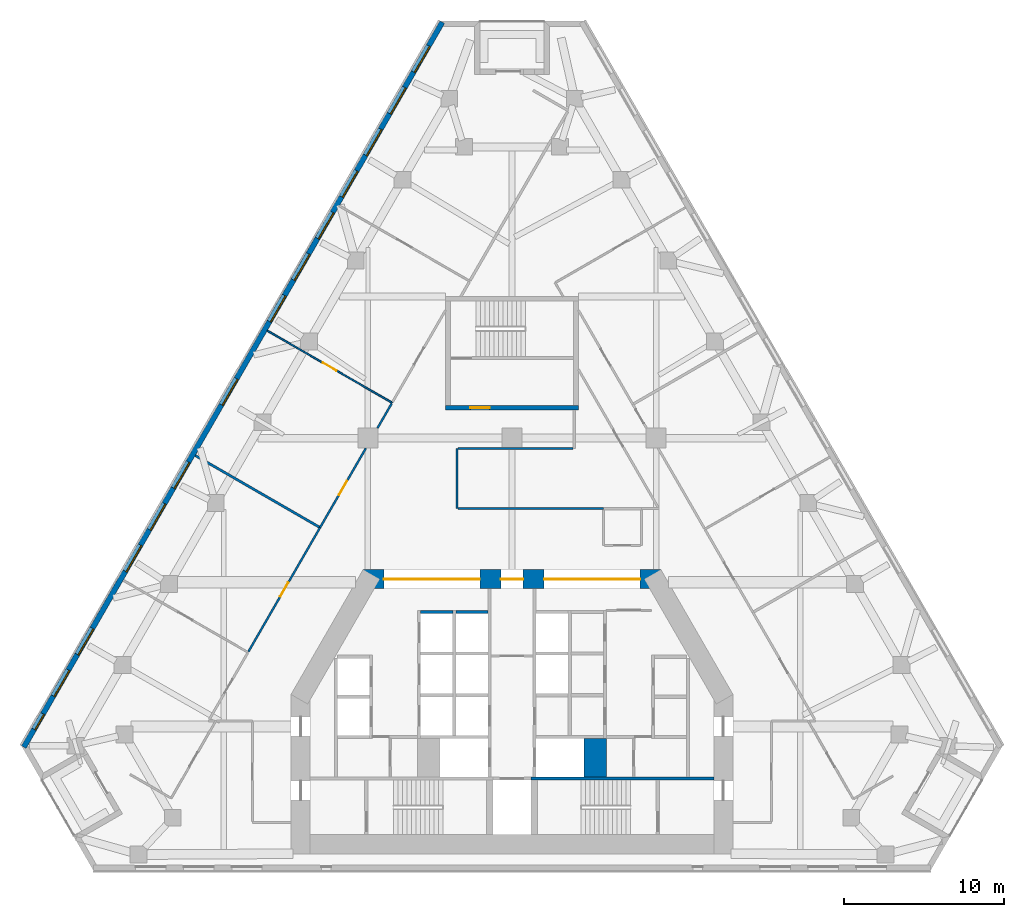
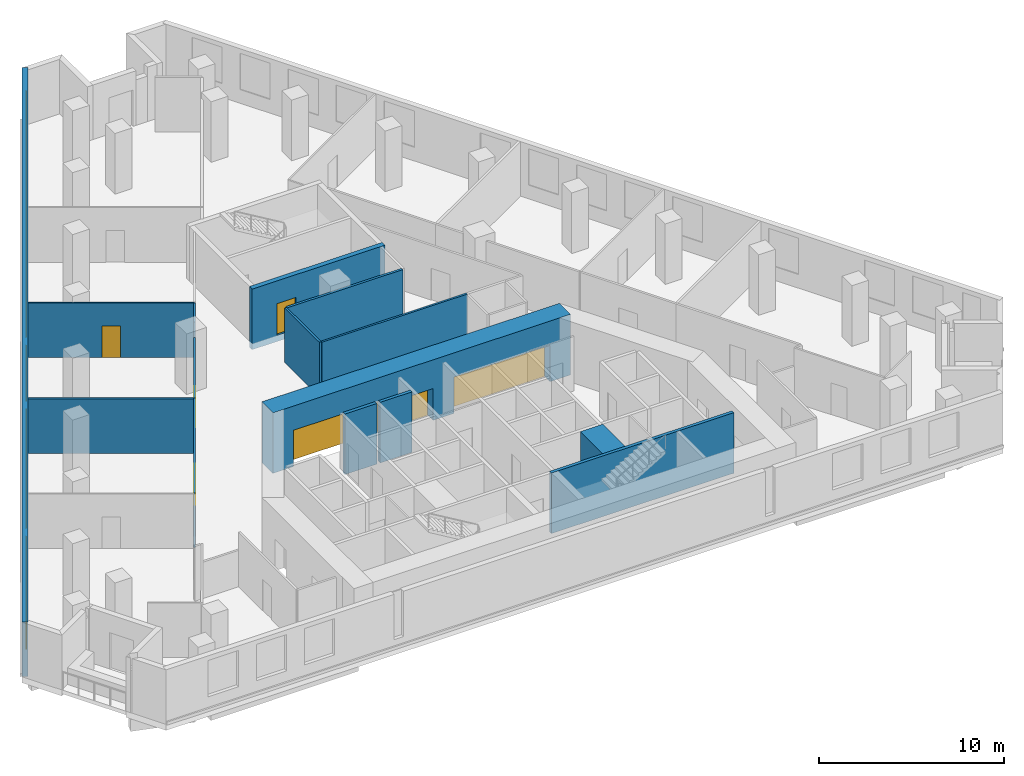
# One storey, part 5 of 9: 15 walls, 14 windows, 7 doors, 21 openings.
"""IFC4 building model written with IfcOpenShell, lengths in metres."""

from ifc_helpers import new_model, si_unit, direction, frame, frame_2d, origin, place, context, subcontext, project, spatial, rectangle, extrude, material, layer, layer_set, type_object, element, fill, save


model = new_model("IFC4")

# Units and contexts
model_context = context("Model", 3, precision=1e-05, world=origin(), true_north=direction((0.0, 1.0)))
body_context = subcontext(model_context, "Body", "Model", "MODEL_VIEW")
ifc_project = project(units=[si_unit("LENGTHUNIT", "METRE"), si_unit("AREAUNIT", "SQUARE_METRE"), si_unit("VOLUMEUNIT", "CUBIC_METRE"), si_unit("PLANEANGLEUNIT", "RADIAN"), si_unit("MASSUNIT", "GRAM", prefix="KILO")], contexts=[model_context])

# Site, building, storey
site_placement = place(None, origin())
site = spatial("IfcSite", under=ifc_project, at=site_placement, CompositionType="ELEMENT")
building_placement = place(site_placement, origin())
building = spatial("IfcBuilding", under=site, at=building_placement, Name="Fogline Exchange Tower", CompositionType="ELEMENT")
storey_placement = place(building_placement, frame((0.0, 0.0, 96.10009765625)))
storey = spatial("IfcBuildingStorey", under=building, at=storey_placement, Name="L20", CompositionType="ELEMENT", Elevation=96.10009765625)

# Walls
ifc_material_1 = material(Name="Concrete C60", Category="concrete")
ifc_layer_1 = layer(ifc_material_1, 1.39990234375)
ifc_layer_set_1 = layer_set([ifc_layer_1], Name="CW140")
wall_type_1 = type_object("IfcWallType", Name="CW140", PredefinedType="SOLIDWALL", material=ifc_layer_set_1)
wall_1_placement = place(storey_placement, frame((5.199951171875, 5.85009765625, -0.400146484375), z_axis=(0.0, 0.0, 1.0), x_axis=(0.0, 1.0, 0.0)))
element("IfcWall", 1, at=wall_1_placement, inside=storey, type_object=wall_type_1, Name="Lift shaft block wall", PredefinedType="SOLIDWALL", context=body_context, shape_type="SweptSolid", body=[
    extrude(rectangle(XDim=2.39990234375, YDim=1.39990234375, at=frame_2d((1.199951171875, 0.0))), origin(), (0.0, 0.0, 1.0), 4.0),
])
ifc_material_2 = material(Name="Concrete C40", Category="concrete")
ifc_layer_2 = layer(ifc_material_2, 0.199951171875)
ifc_layer_set_2 = layer_set([ifc_layer_2], Name="CW20R")
wall_type_2 = type_object("IfcWallType", Name="CW20R", PredefinedType="SOLIDWALL", material=ifc_layer_set_2)
wall_2_placement = place(storey_placement, frame((1.199951171875, 5.75, -0.400146484375), z_axis=(0.0, 0.0, 1.0), x_axis=(1.0, 0.0, 0.0)))
element("IfcWall", 2, at=wall_2_placement, inside=storey, type_object=wall_type_2, Name="Stair enclosure wall", PredefinedType="SOLIDWALL", context=body_context, shape_type="SweptSolid", body=[
    extrude(rectangle(XDim=11.400146484375, YDim=0.199951171875, at=frame_2d((5.7001953125, 0.0))), origin(), (0.0, 0.0, 1.0), 4.0),
])
ifc_layer_3 = layer(ifc_material_2, 0.199951171875)
ifc_layer_set_3 = layer_set([ifc_layer_3], Name="CW20S")
wall_type_3 = type_object("IfcWallType", Name="CW20S", PredefinedType="SOLIDWALL", material=ifc_layer_set_3)
for number, where, z_axis, x_axis, name in (
    (3, (-5.699951171875, 16.14990234375, -0.400146484375), (0.0, 0.0, 1.0), (1.0, 0.0, 0.0), "Lift shaft wall"),
    (4, (-3.5, 16.14990234375, -0.400146484375), (0.0, 0.0, 1.0), (1.0, 0.0, 0.0), "Lift shaft wall"),
):
    element("IfcWall", number, at=place(storey_placement, frame(where, z_axis=z_axis, x_axis=x_axis)), inside=storey, type_object=wall_type_3, Name=name, PredefinedType="SOLIDWALL", context=body_context, shape_type="SweptSolid", body=[
        extrude(rectangle(XDim=2.0, YDim=0.199951171875, at=frame_2d((1.0, 0.0))), origin(), (0.0, 0.0, 1.0), 4.0),
    ])

# Wall, opening, door
ifc_layer_4 = layer(ifc_material_2, 0.300048828125)
ifc_layer_set_4 = layer_set([ifc_layer_4], Name="CW30")
wall_type_4 = type_object("IfcWallType", Name="CW30", PredefinedType="SOLIDWALL", material=ifc_layer_set_4)
wall_3_placement = place(storey_placement, frame((-4.14990234375, 28.906982421875, -0.400146484375), z_axis=(0.0, 0.0, 1.0), x_axis=(1.0, 0.0, 0.0)))
wall_3 = element("IfcWall", 5, at=wall_3_placement, inside=storey, type_object=wall_type_4, Name="Stair enclosure wall ST3", PredefinedType="SOLIDWALL", context=body_context, shape_type="SweptSolid", body=[
    extrude(rectangle(XDim=8.2998046875, YDim=0.300048828125, at=frame_2d((4.14990234375, 0.0))), origin(), (0.0, 0.0, 1.0), 4.0),
])
opening_1_placement = place(wall_3_placement, frame((1.550048828125, 0.0, 0.39990234375)))
opening_1 = element("IfcOpeningElement", 6, at=opening_1_placement, cuts=wall_3, Name="Opening T06-C022", PredefinedType="OPENING", context=body_context, shape_type="SweptSolid", body=[
    extrude(rectangle(XDim=1.199951171875, YDim=2.10009765625, at=frame_2d((0.60009765625, 1.050048828125))), frame((0.0, 0.16015625, 0.0), z_axis=(0.0, -1.0, 0.0), x_axis=(1.0, 0.0, 0.0)), (0.0, 0.0, 1.0), 0.320068359375),
])
ifc_material_3 = material(Name="Steel and timber fire door", Category="steel")
door_type_1 = type_object("IfcDoorType", Name="D-FR1", OperationType="SINGLE_SWING_RIGHT", PredefinedType="DOOR", material=ifc_material_3)
door_1_placement = place(opening_1_placement, origin())
door_1 = element("IfcDoor", 7, at=door_1_placement, inside=storey, type_object=door_type_1, Name="Front room door ST3", OperationType="SINGLE_SWING_LEFT", OverallHeight=2.10009765625, OverallWidth=1.199951171875, PredefinedType="DOOR", context=body_context, shape_type="SweptSolid", body=[
    extrude(rectangle(XDim=1.199951171875, YDim=2.10009765625, at=frame_2d((0.60009765625, 1.050048828125))), frame((0.0, 0.02490234375, 0.0), z_axis=(0.0, -1.0, 0.0), x_axis=(1.0, 0.0, 0.0)), (0.0, 0.0, 1.0), 0.050048828125),
])
fill(opening_1, door_1)

# Wall, openings, windows
ifc_material_4 = material(Name="Brick masonry", Category="masonry")
ifc_layer_5 = layer(ifc_material_4, 0.340087890625)
ifc_layer_set_5 = layer_set([ifc_layer_5], Name="FW1")
wall_type_5 = type_object("IfcWallType", Name="FW1", PredefinedType="SOLIDWALL", material=ifc_layer_set_5)
wall_4_placement = place(storey_placement, frame((-4.352783203125, 52.981689453125, 0.0), z_axis=(0.0, 0.0, 1.0), x_axis=(-0.499998162791, -0.866026464495, 0.0)))
wall_4 = element("IfcWall", 8, at=wall_4_placement, inside=storey, type_object=wall_type_5, Name="Brick wall L20 W", PredefinedType="SOLIDWALL", context=body_context, shape_type="SweptSolid", body=[
    extrude(rectangle(XDim=52.276123046875, YDim=0.340087890625, at=frame_2d((26.13818359375, 0.0))), origin(), (0.0, 0.0, 1.0), 3.599853515625),
])
opening_2_placement = place(wall_4_placement, frame((1.70703125, 0.0, 0.89990234375)))
opening_2 = element("IfcOpeningElement", 9, at=opening_2_placement, cuts=wall_4, Name="Opening W1", PredefinedType="OPENING", context=body_context, shape_type="SweptSolid", body=[
    extrude(rectangle(XDim=1.885009765625, YDim=2.39990234375, at=frame_2d((0.9423828125, 1.199951171875))), frame((0.0, 0.18017578125, 0.0), z_axis=(0.0, -1.0, 0.0), x_axis=(1.0, 0.0, 0.0)), (0.0, 0.0, 1.0), 0.360107421875),
])
opening_3_placement = place(wall_4_placement, frame((4.70703125, 0.0, 0.89990234375)))
opening_3 = element("IfcOpeningElement", 10, at=opening_3_placement, cuts=wall_4, Name="Opening W1", PredefinedType="OPENING", context=body_context, shape_type="SweptSolid", body=[
    extrude(rectangle(XDim=1.885009765625, YDim=2.39990234375, at=frame_2d((0.9423828125, 1.199951171875))), frame((0.0, 0.18017578125, 0.0), z_axis=(0.0, -1.0, 0.0), x_axis=(1.0, 0.0, 0.0)), (0.0, 0.0, 1.0), 0.360107421875),
])
opening_4_placement = place(wall_4_placement, frame((7.70703125, 0.0, 0.89990234375)))
opening_4 = element("IfcOpeningElement", 11, at=opening_4_placement, cuts=wall_4, Name="Opening W1", PredefinedType="OPENING", context=body_context, shape_type="SweptSolid", body=[
    extrude(rectangle(XDim=1.885009765625, YDim=2.39990234375, at=frame_2d((0.9423828125, 1.199951171875))), frame((0.0, 0.18017578125, 0.0), z_axis=(0.0, -1.0, 0.0), x_axis=(1.0, 0.0, 0.0)), (0.0, 0.0, 1.0), 0.360107421875),
])
opening_5_placement = place(wall_4_placement, frame((10.70703125, 0.0, 0.89990234375)))
opening_5 = element("IfcOpeningElement", 12, at=opening_5_placement, cuts=wall_4, Name="Opening W1", PredefinedType="OPENING", context=body_context, shape_type="SweptSolid", body=[
    extrude(rectangle(XDim=1.885009765625, YDim=2.39990234375, at=frame_2d((0.9423828125, 1.199951171875))), frame((0.0, 0.18017578125, 0.0), z_axis=(0.0, -1.0, 0.0), x_axis=(1.0, 0.0, 0.0)), (0.0, 0.0, 1.0), 0.360107421875),
])
opening_6_placement = place(wall_4_placement, frame((13.70703125, 0.0, 0.89990234375)))
opening_6 = element("IfcOpeningElement", 13, at=opening_6_placement, cuts=wall_4, Name="Opening W1", PredefinedType="OPENING", context=body_context, shape_type="SweptSolid", body=[
    extrude(rectangle(XDim=1.885009765625, YDim=2.39990234375, at=frame_2d((0.9423828125, 1.199951171875))), frame((0.0, 0.18017578125, 0.0), z_axis=(0.0, -1.0, 0.0), x_axis=(1.0, 0.0, 0.0)), (0.0, 0.0, 1.0), 0.360107421875),
])
opening_7_placement = place(wall_4_placement, frame((16.70703125, 0.0, 0.89990234375)))
opening_7 = element("IfcOpeningElement", 14, at=opening_7_placement, cuts=wall_4, Name="Opening W1", PredefinedType="OPENING", context=body_context, shape_type="SweptSolid", body=[
    extrude(rectangle(XDim=1.885009765625, YDim=2.39990234375, at=frame_2d((0.9423828125, 1.199951171875))), frame((0.0, 0.18017578125, 0.0), z_axis=(0.0, -1.0, 0.0), x_axis=(1.0, 0.0, 0.0)), (0.0, 0.0, 1.0), 0.360107421875),
])
opening_8_placement = place(wall_4_placement, frame((19.70703125, 0.0, 0.89990234375)))
opening_8 = element("IfcOpeningElement", 15, at=opening_8_placement, cuts=wall_4, Name="Opening W1", PredefinedType="OPENING", context=body_context, shape_type="SweptSolid", body=[
    extrude(rectangle(XDim=1.885009765625, YDim=2.39990234375, at=frame_2d((0.9423828125, 1.199951171875))), frame((0.0, 0.18017578125, 0.0), z_axis=(0.0, -1.0, 0.0), x_axis=(1.0, 0.0, 0.0)), (0.0, 0.0, 1.0), 0.360107421875),
])
opening_9_placement = place(wall_4_placement, frame((25.70703125, 0.0, 0.89990234375)))
opening_9 = element("IfcOpeningElement", 16, at=opening_9_placement, cuts=wall_4, Name="Opening W1", PredefinedType="OPENING", context=body_context, shape_type="SweptSolid", body=[
    extrude(rectangle(XDim=1.885009765625, YDim=2.39990234375, at=frame_2d((0.9423828125, 1.199951171875))), frame((0.0, 0.18017578125, 0.0), z_axis=(0.0, -1.0, 0.0), x_axis=(1.0, 0.0, 0.0)), (0.0, 0.0, 1.0), 0.360107421875),
])
opening_10_placement = place(wall_4_placement, frame((31.70703125, 0.0, 0.89990234375)))
opening_10 = element("IfcOpeningElement", 17, at=opening_10_placement, cuts=wall_4, Name="Opening W1", PredefinedType="OPENING", context=body_context, shape_type="SweptSolid", body=[
    extrude(rectangle(XDim=1.885009765625, YDim=2.39990234375, at=frame_2d((0.9423828125, 1.199951171875))), frame((0.0, 0.18017578125, 0.0), z_axis=(0.0, -1.0, 0.0), x_axis=(1.0, 0.0, 0.0)), (0.0, 0.0, 1.0), 0.360107421875),
])
opening_11_placement = place(wall_4_placement, frame((34.70703125, 0.0, 0.89990234375)))
opening_11 = element("IfcOpeningElement", 18, at=opening_11_placement, cuts=wall_4, Name="Opening W1", PredefinedType="OPENING", context=body_context, shape_type="SweptSolid", body=[
    extrude(rectangle(XDim=1.885009765625, YDim=2.39990234375, at=frame_2d((0.9423828125, 1.199951171875))), frame((0.0, 0.18017578125, 0.0), z_axis=(0.0, -1.0, 0.0), x_axis=(1.0, 0.0, 0.0)), (0.0, 0.0, 1.0), 0.360107421875),
])
opening_12_placement = place(wall_4_placement, frame((37.70703125, 0.0, 0.89990234375)))
opening_12 = element("IfcOpeningElement", 19, at=opening_12_placement, cuts=wall_4, Name="Opening W1", PredefinedType="OPENING", context=body_context, shape_type="SweptSolid", body=[
    extrude(rectangle(XDim=1.885009765625, YDim=2.39990234375, at=frame_2d((0.9423828125, 1.199951171875))), frame((0.0, 0.18017578125, 0.0), z_axis=(0.0, -1.0, 0.0), x_axis=(1.0, 0.0, 0.0)), (0.0, 0.0, 1.0), 0.360107421875),
])
opening_13_placement = place(wall_4_placement, frame((43.70703125, 0.0, 0.89990234375)))
opening_13 = element("IfcOpeningElement", 20, at=opening_13_placement, cuts=wall_4, Name="Opening W1", PredefinedType="OPENING", context=body_context, shape_type="SweptSolid", body=[
    extrude(rectangle(XDim=1.885009765625, YDim=2.39990234375, at=frame_2d((0.9423828125, 1.199951171875))), frame((0.0, 0.18017578125, 0.0), z_axis=(0.0, -1.0, 0.0), x_axis=(1.0, 0.0, 0.0)), (0.0, 0.0, 1.0), 0.360107421875),
])
opening_14_placement = place(wall_4_placement, frame((46.70703125, 0.0, 0.89990234375)))
opening_14 = element("IfcOpeningElement", 21, at=opening_14_placement, cuts=wall_4, Name="Opening W1", PredefinedType="OPENING", context=body_context, shape_type="SweptSolid", body=[
    extrude(rectangle(XDim=1.885009765625, YDim=2.39990234375, at=frame_2d((0.9423828125, 1.199951171875))), frame((0.0, 0.18017578125, 0.0), z_axis=(0.0, -1.0, 0.0), x_axis=(1.0, 0.0, 0.0)), (0.0, 0.0, 1.0), 0.360107421875),
])
opening_15_placement = place(wall_4_placement, frame((49.87646484375, 0.0, 0.89990234375)))
opening_15 = element("IfcOpeningElement", 22, at=opening_15_placement, cuts=wall_4, Name="Opening W4", PredefinedType="OPENING", context=body_context, shape_type="SweptSolid", body=[
    extrude(rectangle(XDim=1.114990234375, YDim=2.39990234375, at=frame_2d((0.5576171875, 1.199951171875))), frame((0.0, 0.18017578125, 0.0), z_axis=(0.0, -1.0, 0.0), x_axis=(1.0, 0.0, 0.0)), (0.0, 0.0, 1.0), 0.360107421875),
])
ifc_material_5 = material(Name="Aluminium and glass", Category="aluminium")
window_type_1 = type_object("IfcWindowType", Name="W1", PartitioningType="SINGLE_PANEL", PredefinedType="WINDOW", material=ifc_material_5)
window_1_placement = place(opening_2_placement, origin())
window_1 = element("IfcWindow", 23, at=window_1_placement, inside=storey, type_object=window_type_1, Name="W1 W1", OverallHeight=2.39990234375, OverallWidth=1.885009765625, PartitioningType="SINGLE_PANEL", PredefinedType="WINDOW", context=body_context, shape_type="SweptSolid", body=[
    extrude(rectangle(XDim=1.885009765625, YDim=2.39990234375, at=frame_2d((0.9423828125, 1.199951171875))), frame((0.0, 0.110107421875, 0.0), z_axis=(0.0, -1.0, 0.0), x_axis=(1.0, 0.0, 0.0)), (0.0, 0.0, 1.0), 0.06005859375),
])
fill(opening_2, window_1)
window_2_placement = place(opening_3_placement, origin())
window_2 = element("IfcWindow", 24, at=window_2_placement, inside=storey, type_object=window_type_1, Name="W1 W1", OverallHeight=2.39990234375, OverallWidth=1.885009765625, PartitioningType="SINGLE_PANEL", PredefinedType="WINDOW", context=body_context, shape_type="SweptSolid", body=[
    extrude(rectangle(XDim=1.885009765625, YDim=2.39990234375, at=frame_2d((0.9423828125, 1.199951171875))), frame((0.0, 0.110107421875, 0.0), z_axis=(0.0, -1.0, 0.0), x_axis=(1.0, 0.0, 0.0)), (0.0, 0.0, 1.0), 0.06005859375),
])
fill(opening_3, window_2)
window_3_placement = place(opening_4_placement, origin())
window_3 = element("IfcWindow", 25, at=window_3_placement, inside=storey, type_object=window_type_1, Name="W1 W1", OverallHeight=2.39990234375, OverallWidth=1.885009765625, PartitioningType="SINGLE_PANEL", PredefinedType="WINDOW", context=body_context, shape_type="SweptSolid", body=[
    extrude(rectangle(XDim=1.885009765625, YDim=2.39990234375, at=frame_2d((0.9423828125, 1.199951171875))), frame((0.0, 0.110107421875, 0.0), z_axis=(0.0, -1.0, 0.0), x_axis=(1.0, 0.0, 0.0)), (0.0, 0.0, 1.0), 0.06005859375),
])
fill(opening_4, window_3)
window_4_placement = place(opening_5_placement, origin())
window_4 = element("IfcWindow", 26, at=window_4_placement, inside=storey, type_object=window_type_1, Name="W1 W1", OverallHeight=2.39990234375, OverallWidth=1.885009765625, PartitioningType="SINGLE_PANEL", PredefinedType="WINDOW", context=body_context, shape_type="SweptSolid", body=[
    extrude(rectangle(XDim=1.885009765625, YDim=2.39990234375, at=frame_2d((0.9423828125, 1.199951171875))), frame((0.0, 0.110107421875, 0.0), z_axis=(0.0, -1.0, 0.0), x_axis=(1.0, 0.0, 0.0)), (0.0, 0.0, 1.0), 0.06005859375),
])
fill(opening_5, window_4)
window_5_placement = place(opening_6_placement, origin())
window_5 = element("IfcWindow", 27, at=window_5_placement, inside=storey, type_object=window_type_1, Name="W1 W1", OverallHeight=2.39990234375, OverallWidth=1.885009765625, PartitioningType="SINGLE_PANEL", PredefinedType="WINDOW", context=body_context, shape_type="SweptSolid", body=[
    extrude(rectangle(XDim=1.885009765625, YDim=2.39990234375, at=frame_2d((0.9423828125, 1.199951171875))), frame((0.0, 0.110107421875, 0.0), z_axis=(0.0, -1.0, 0.0), x_axis=(1.0, 0.0, 0.0)), (0.0, 0.0, 1.0), 0.06005859375),
])
fill(opening_6, window_5)
window_6_placement = place(opening_7_placement, origin())
window_6 = element("IfcWindow", 28, at=window_6_placement, inside=storey, type_object=window_type_1, Name="W1 W1", OverallHeight=2.39990234375, OverallWidth=1.885009765625, PartitioningType="SINGLE_PANEL", PredefinedType="WINDOW", context=body_context, shape_type="SweptSolid", body=[
    extrude(rectangle(XDim=1.885009765625, YDim=2.39990234375, at=frame_2d((0.9423828125, 1.199951171875))), frame((0.0, 0.110107421875, 0.0), z_axis=(0.0, -1.0, 0.0), x_axis=(1.0, 0.0, 0.0)), (0.0, 0.0, 1.0), 0.06005859375),
])
fill(opening_7, window_6)
window_7_placement = place(opening_8_placement, origin())
window_7 = element("IfcWindow", 29, at=window_7_placement, inside=storey, type_object=window_type_1, Name="W1 W1", OverallHeight=2.39990234375, OverallWidth=1.885009765625, PartitioningType="SINGLE_PANEL", PredefinedType="WINDOW", context=body_context, shape_type="SweptSolid", body=[
    extrude(rectangle(XDim=1.885009765625, YDim=2.39990234375, at=frame_2d((0.9423828125, 1.199951171875))), frame((0.0, 0.110107421875, 0.0), z_axis=(0.0, -1.0, 0.0), x_axis=(1.0, 0.0, 0.0)), (0.0, 0.0, 1.0), 0.06005859375),
])
fill(opening_8, window_7)
window_8_placement = place(opening_9_placement, origin())
window_8 = element("IfcWindow", 30, at=window_8_placement, inside=storey, type_object=window_type_1, Name="W1 W1", OverallHeight=2.39990234375, OverallWidth=1.885009765625, PartitioningType="SINGLE_PANEL", PredefinedType="WINDOW", context=body_context, shape_type="SweptSolid", body=[
    extrude(rectangle(XDim=1.885009765625, YDim=2.39990234375, at=frame_2d((0.9423828125, 1.199951171875))), frame((0.0, 0.110107421875, 0.0), z_axis=(0.0, -1.0, 0.0), x_axis=(1.0, 0.0, 0.0)), (0.0, 0.0, 1.0), 0.06005859375),
])
fill(opening_9, window_8)
window_9_placement = place(opening_10_placement, origin())
window_9 = element("IfcWindow", 31, at=window_9_placement, inside=storey, type_object=window_type_1, Name="W1 W1", OverallHeight=2.39990234375, OverallWidth=1.885009765625, PartitioningType="SINGLE_PANEL", PredefinedType="WINDOW", context=body_context, shape_type="SweptSolid", body=[
    extrude(rectangle(XDim=1.885009765625, YDim=2.39990234375, at=frame_2d((0.9423828125, 1.199951171875))), frame((0.0, 0.110107421875, 0.0), z_axis=(0.0, -1.0, 0.0), x_axis=(1.0, 0.0, 0.0)), (0.0, 0.0, 1.0), 0.06005859375),
])
fill(opening_10, window_9)
window_10_placement = place(opening_11_placement, origin())
window_10 = element("IfcWindow", 32, at=window_10_placement, inside=storey, type_object=window_type_1, Name="W1 W1", OverallHeight=2.39990234375, OverallWidth=1.885009765625, PartitioningType="SINGLE_PANEL", PredefinedType="WINDOW", context=body_context, shape_type="SweptSolid", body=[
    extrude(rectangle(XDim=1.885009765625, YDim=2.39990234375, at=frame_2d((0.9423828125, 1.199951171875))), frame((0.0, 0.110107421875, 0.0), z_axis=(0.0, -1.0, 0.0), x_axis=(1.0, 0.0, 0.0)), (0.0, 0.0, 1.0), 0.06005859375),
])
fill(opening_11, window_10)
window_11_placement = place(opening_12_placement, origin())
window_11 = element("IfcWindow", 33, at=window_11_placement, inside=storey, type_object=window_type_1, Name="W1 W1", OverallHeight=2.39990234375, OverallWidth=1.885009765625, PartitioningType="SINGLE_PANEL", PredefinedType="WINDOW", context=body_context, shape_type="SweptSolid", body=[
    extrude(rectangle(XDim=1.885009765625, YDim=2.39990234375, at=frame_2d((0.9423828125, 1.199951171875))), frame((0.0, 0.110107421875, 0.0), z_axis=(0.0, -1.0, 0.0), x_axis=(1.0, 0.0, 0.0)), (0.0, 0.0, 1.0), 0.06005859375),
])
fill(opening_12, window_11)
window_12_placement = place(opening_13_placement, origin())
window_12 = element("IfcWindow", 34, at=window_12_placement, inside=storey, type_object=window_type_1, Name="W1 W1", OverallHeight=2.39990234375, OverallWidth=1.885009765625, PartitioningType="SINGLE_PANEL", PredefinedType="WINDOW", context=body_context, shape_type="SweptSolid", body=[
    extrude(rectangle(XDim=1.885009765625, YDim=2.39990234375, at=frame_2d((0.9423828125, 1.199951171875))), frame((0.0, 0.110107421875, 0.0), z_axis=(0.0, -1.0, 0.0), x_axis=(1.0, 0.0, 0.0)), (0.0, 0.0, 1.0), 0.06005859375),
])
fill(opening_13, window_12)
window_13_placement = place(opening_14_placement, origin())
window_13 = element("IfcWindow", 35, at=window_13_placement, inside=storey, type_object=window_type_1, Name="W1 W1", OverallHeight=2.39990234375, OverallWidth=1.885009765625, PartitioningType="SINGLE_PANEL", PredefinedType="WINDOW", context=body_context, shape_type="SweptSolid", body=[
    extrude(rectangle(XDim=1.885009765625, YDim=2.39990234375, at=frame_2d((0.9423828125, 1.199951171875))), frame((0.0, 0.110107421875, 0.0), z_axis=(0.0, -1.0, 0.0), x_axis=(1.0, 0.0, 0.0)), (0.0, 0.0, 1.0), 0.06005859375),
])
fill(opening_14, window_13)
window_type_2 = type_object("IfcWindowType", Name="W4", PartitioningType="SINGLE_PANEL", PredefinedType="WINDOW", material=ifc_material_5)
window_14_placement = place(opening_15_placement, origin())
window_14 = element("IfcWindow", 36, at=window_14_placement, inside=storey, type_object=window_type_2, Name="W4 W4", OverallHeight=2.39990234375, OverallWidth=1.114990234375, PartitioningType="SINGLE_PANEL", PredefinedType="WINDOW", context=body_context, shape_type="SweptSolid", body=[
    extrude(rectangle(XDim=1.114990234375, YDim=2.39990234375, at=frame_2d((0.5576171875, 1.199951171875))), frame((0.0, 0.110107421875, 0.0), z_axis=(0.0, -1.0, 0.0), x_axis=(1.0, 0.0, 0.0)), (0.0, 0.0, 1.0), 0.06005859375),
])
fill(opening_15, window_14)

# Wall, opening, door
ifc_material_6 = material(Name="Plasterboard partition, 2 layers each side on steel studs", Category="steel")
ifc_layer_6 = layer(ifc_material_6, 0.10009765625)
ifc_layer_set_6 = layer_set([ifc_layer_6], Name="PW1")
wall_type_6 = type_object("IfcWallType", Name="PW1", PredefinedType="PARTITIONING", material=ifc_layer_set_6)
wall_5_placement = place(storey_placement, frame((-7.486083984375, 29.214599609375, 0.0), z_axis=(0.0, 0.0, 1.0), x_axis=(-0.866024315419, 0.5000018851, 0.0)))
wall_5 = element("IfcWall", 37, at=wall_5_placement, inside=storey, type_object=wall_type_6, Name="wall-L20-W039", PredefinedType="PARTITIONING", context=body_context, shape_type="SweptSolid", body=[
    extrude(rectangle(XDim=9.0, YDim=0.10009765625, at=frame_2d((4.5, 0.0))), origin(), (0.0, 0.0, 1.0), 3.599853515625),
])
opening_16_placement = place(wall_5_placement, frame((4.0, 0.0, 0.0)))
opening_16 = element("IfcOpeningElement", 38, at=opening_16_placement, cuts=wall_5, Name="Opening T06-D016", PredefinedType="OPENING", context=body_context, shape_type="SweptSolid", body=[
    extrude(rectangle(XDim=1.0, YDim=2.10009765625, at=frame_2d((0.5, 1.050048828125))), frame((0.0, 0.06005859375, 0.0), z_axis=(0.0, -1.0, 0.0), x_axis=(1.0, 0.0, 0.0)), (0.0, 0.0, 1.0), 0.1201171875),
])
ifc_material_7 = material(Name="Timber door leaf with steel frame", Category="steel")
door_type_2 = type_object("IfcDoorType", Name="D1", OperationType="SINGLE_SWING_LEFT", PredefinedType="DOOR", material=ifc_material_7)
door_2_placement = place(opening_16_placement, origin())
door_2 = element("IfcDoor", 39, at=door_2_placement, inside=storey, type_object=door_type_2, Name="door-L20-D016", OperationType="SINGLE_SWING_LEFT", OverallHeight=2.10009765625, OverallWidth=1.0, PredefinedType="DOOR", context=body_context, shape_type="SweptSolid", body=[
    extrude(rectangle(XDim=1.0, YDim=2.10009765625, at=frame_2d((0.5, 1.050048828125))), frame((0.0, 0.02490234375, 0.0), z_axis=(0.0, -1.0, 0.0), x_axis=(1.0, 0.0, 0.0)), (0.0, 0.0, 1.0), 0.050048828125),
])
fill(opening_16, door_2)

# Wall
ifc_material_8 = material(Name="Plasterboard corridor partition with mineral wool, 2 layers each side")
ifc_layer_7 = layer(ifc_material_8, 0.125)
ifc_layer_set_7 = layer_set([ifc_layer_7], Name="PW2")
wall_type_7 = type_object("IfcWallType", Name="PW2", PredefinedType="PARTITIONING", material=ifc_layer_set_7)
wall_6_placement = place(storey_placement, frame((-3.387451171875, 22.60009765625, 0.0), z_axis=(0.0, 0.0, 1.0), x_axis=(1.0, 0.0, 0.0)))
element("IfcWall", 40, at=wall_6_placement, inside=storey, type_object=wall_type_7, Name="wall-L20-W006", PredefinedType="PARTITIONING", context=body_context, shape_type="SweptSolid", body=[
    extrude(rectangle(XDim=9.08740234375, YDim=0.125, at=frame_2d((4.543701171875, 0.0))), origin(), (0.0, 0.0, 1.0), 3.599853515625),
])

# Wall, opening, door
wall_7_placement = place(storey_placement, frame((-11.986083984375, 21.42041015625, 0.0), z_axis=(0.0, 0.0, 1.0), x_axis=(0.500008117708, 0.866020716973, 0.0)))
wall_7 = element("IfcWall", 41, at=wall_7_placement, inside=storey, type_object=wall_type_7, Name="wall-L20-W011", PredefinedType="PARTITIONING", context=body_context, shape_type="SweptSolid", body=[
    extrude(rectangle(XDim=5.72119140625, YDim=0.125, at=frame_2d((2.860595703125, 0.0))), origin(), (0.0, 0.0, 1.0), 3.599853515625),
])
opening_17_placement = place(wall_7_placement, frame((2.360595703125, 0.0, 0.0)))
opening_17 = element("IfcOpeningElement", 42, at=opening_17_placement, cuts=wall_7, Name="Opening T06-D005", PredefinedType="OPENING", context=body_context, shape_type="SweptSolid", body=[
    extrude(rectangle(XDim=1.0, YDim=2.10009765625, at=frame_2d((0.5, 1.050048828125))), frame((0.0, 0.072509765625, 0.0), z_axis=(0.0, -1.0, 0.0), x_axis=(1.0, 0.0, 0.0)), (0.0, 0.0, 1.0), 0.14501953125),
])
ifc_material_9 = material(Name="Fire-rated timber door leaf with steel frame", Category="steel")
door_type_3 = type_object("IfcDoorType", Name="D3", OperationType="SINGLE_SWING_LEFT", PredefinedType="DOOR", material=ifc_material_9)
door_3_placement = place(opening_17_placement, origin())
door_3 = element("IfcDoor", 43, at=door_3_placement, inside=storey, type_object=door_type_3, Name="door-L20-D005", OperationType="SINGLE_SWING_LEFT", OverallHeight=2.10009765625, OverallWidth=1.0, PredefinedType="DOOR", context=body_context, shape_type="SweptSolid", body=[
    extrude(rectangle(XDim=1.0, YDim=2.10009765625, at=frame_2d((0.5, 1.050048828125))), frame((0.0, 0.02490234375, 0.0), z_axis=(0.0, -1.0, 0.0), x_axis=(1.0, 0.0, 0.0)), (0.0, 0.0, 1.0), 0.050048828125),
])
fill(opening_17, door_3)

# Wall
wall_8_placement = place(storey_placement, frame((-8.40380859375, 27.625, 0.0), z_axis=(0.0, 0.0, 1.0), x_axis=(0.500022371132, 0.86601248742, 0.0)))
element("IfcWall", 44, at=wall_8_placement, inside=storey, type_object=wall_type_7, Name="wall-L20-W012", PredefinedType="PARTITIONING", context=body_context, shape_type="SweptSolid", body=[
    extrude(rectangle(XDim=1.78515625, YDim=0.125, at=frame_2d((0.892578125, 0.0))), origin(), (0.0, 0.0, 1.0), 3.599853515625),
])

# Wall, opening, door
wall_9_placement = place(storey_placement, frame((-16.460693359375, 13.669921875, 0.0), z_axis=(0.0, 0.0, 1.0), x_axis=(0.49998850867, 0.866032038205, 0.0)))
wall_9 = element("IfcWall", 45, at=wall_9_placement, inside=storey, type_object=wall_type_7, Name="wall-L20-W013", PredefinedType="PARTITIONING", context=body_context, shape_type="SweptSolid", body=[
    extrude(rectangle(XDim=8.949462890625, YDim=0.125, at=frame_2d((4.474609375, 0.0))), origin(), (0.0, 0.0, 1.0), 3.599853515625),
])
opening_18_placement = place(wall_9_placement, frame((3.974609375, 0.0, 0.0)))
opening_18 = element("IfcOpeningElement", 46, at=opening_18_placement, cuts=wall_9, Name="Opening T06-D006", PredefinedType="OPENING", context=body_context, shape_type="SweptSolid", body=[
    extrude(rectangle(XDim=1.0, YDim=2.10009765625, at=frame_2d((0.5, 1.050048828125))), frame((0.0, 0.072509765625, 0.0), z_axis=(0.0, -1.0, 0.0), x_axis=(1.0, 0.0, 0.0)), (0.0, 0.0, 1.0), 0.14501953125),
])
door_4_placement = place(opening_18_placement, origin())
door_4 = element("IfcDoor", 47, at=door_4_placement, inside=storey, type_object=door_type_3, Name="door-L20-D006", OperationType="SINGLE_SWING_RIGHT", OverallHeight=2.10009765625, OverallWidth=1.0, PredefinedType="DOOR", context=body_context, shape_type="SweptSolid", body=[
    extrude(rectangle(XDim=1.0, YDim=2.10009765625, at=frame_2d((0.5, 1.050048828125))), frame((0.0, 0.02490234375, 0.0), z_axis=(0.0, -1.0, 0.0), x_axis=(1.0, 0.0, 0.0)), (0.0, 0.0, 1.0), 0.050048828125),
])
fill(opening_18, door_4)

# Walls
wall_10_placement = place(storey_placement, frame((-3.449951171875, 26.35693359375, 0.0), z_axis=(0.0, 0.0, 1.0), x_axis=(0.0, -1.0, 0.0)))
element("IfcWall", 48, at=wall_10_placement, inside=storey, type_object=wall_type_7, Name="wall-L20-W027", PredefinedType="PARTITIONING", context=body_context, shape_type="SweptSolid", body=[
    extrude(rectangle(XDim=3.7568359375, YDim=0.125, at=frame_2d((1.87841796875, 0.0))), origin(), (0.0, 0.0, 1.0), 3.599853515625),
])
ifc_material_10 = material(Name="Plasterboard demising partition with mineral wool and acoustic board")
ifc_layer_8 = layer(ifc_material_10, 0.14990234375)
ifc_layer_set_8 = layer_set([ifc_layer_8], Name="PW3")
wall_type_8 = type_object("IfcWallType", Name="PW3", PredefinedType="PARTITIONING", material=ifc_layer_set_8)
wall_11_placement = place(storey_placement, frame((-12.040283203125, 21.45166015625, 0.0), z_axis=(0.0, 0.0, 1.0), x_axis=(-0.866022276127, 0.500005417223, 0.0)))
element("IfcWall", 49, at=wall_11_placement, inside=storey, type_object=wall_type_8, Name="wall-L20-W040", PredefinedType="PARTITIONING", context=body_context, shape_type="SweptSolid", body=[
    extrude(rectangle(XDim=8.9375, YDim=0.14990234375, at=frame_2d((4.46875, 0.0))), origin(), (0.0, 0.0, 1.0), 3.599853515625),
])
ifc_material_11 = material(Name="Plasterboard stair lobby partition, 3 layers each side on steel studs", Category="steel")
ifc_layer_9 = layer(ifc_material_11, 0.14990234375)
ifc_layer_set_9 = layer_set([ifc_layer_9], Name="PW4")
wall_type_9 = type_object("IfcWallType", Name="PW4", PredefinedType="PARTITIONING", material=ifc_layer_set_9)
wall_12_placement = place(storey_placement, frame((3.824951171875, 26.35693359375, 0.0), z_axis=(0.0, 0.0, 1.0), x_axis=(-1.0, 0.0, 0.0)))
element("IfcWall", 50, at=wall_12_placement, inside=storey, type_object=wall_type_9, Name="wall-L20-W018", PredefinedType="PARTITIONING", context=body_context, shape_type="SweptSolid", body=[
    extrude(rectangle(XDim=7.21240234375, YDim=0.14990234375, at=frame_2d((3.606201171875, 0.0))), origin(), (0.0, 0.0, 1.0), 3.599853515625),
])

# Wall, openings, doors
ifc_layer_10 = layer(ifc_material_1, 1.199951171875)
ifc_layer_set_10 = layer_set([ifc_layer_10], Name="SW02")
wall_type_10 = type_object("IfcWallType", Name="SW02", PredefinedType="SHEAR", material=ifc_layer_set_10)
wall_13_placement = place(storey_placement, frame((9.296142578125, 18.199951171875, 0.0), z_axis=(0.0, 0.0, 1.0), x_axis=(-1.0, 0.0, 0.0)))
wall_13 = element("IfcWall", 51, at=wall_13_placement, inside=storey, type_object=wall_type_10, Name="L20-W904", PredefinedType="SHEAR", context=body_context, shape_type="SweptSolid", body=[
    extrude(rectangle(XDim=18.59228515625, YDim=1.199951171875, at=frame_2d((9.296142578125, 0.0))), origin(), (0.0, 0.0, 1.0), 4.0),
])
opening_19_placement = place(wall_13_placement, frame((8.59619140625, 0.0, 0.0)))
opening_19 = element("IfcOpeningElement", 52, at=opening_19_placement, cuts=wall_13, Name="Opening T06-C019", PredefinedType="OPENING", context=body_context, shape_type="SweptSolid", body=[
    extrude(rectangle(XDim=1.39990234375, YDim=2.10009765625, at=frame_2d((0.699951171875, 1.050048828125))), frame((0.0, 0.60986328125, 0.0), z_axis=(0.0, -1.0, 0.0), x_axis=(1.0, 0.0, 0.0)), (0.0, 0.0, 1.0), 1.219970703125),
])
opening_20_placement = place(wall_13_placement, frame((11.296142578125, 0.0, 0.0)))
opening_20 = element("IfcOpeningElement", 53, at=opening_20_placement, cuts=wall_13, Name="Opening T06-C020", PredefinedType="OPENING", context=body_context, shape_type="SweptSolid", body=[
    extrude(rectangle(XDim=6.0, YDim=2.39990234375, at=frame_2d((3.0, 1.199951171875))), frame((0.0, 0.60986328125, 0.0), z_axis=(0.0, -1.0, 0.0), x_axis=(1.0, 0.0, 0.0)), (0.0, 0.0, 1.0), 1.219970703125),
])
opening_21_placement = place(wall_13_placement, frame((1.296142578125, 0.0, 0.0)))
opening_21 = element("IfcOpeningElement", 54, at=opening_21_placement, cuts=wall_13, Name="Opening T06-C021", PredefinedType="OPENING", context=body_context, shape_type="SweptSolid", body=[
    extrude(rectangle(XDim=6.0, YDim=2.39990234375, at=frame_2d((3.0, 1.199951171875))), frame((0.0, 0.60986328125, 0.0), z_axis=(0.0, -1.0, 0.0), x_axis=(1.0, 0.0, 0.0)), (0.0, 0.0, 1.0), 1.219970703125),
])
door_type_4 = type_object("IfcDoorType", Name="D-LB1", OperationType="DOUBLE_DOOR_SINGLE_SWING", PredefinedType="DOOR", material=ifc_material_3)
door_5_placement = place(opening_19_placement, origin())
door_5 = element("IfcDoor", 55, at=door_5_placement, inside=storey, type_object=door_type_4, Name="Protected lobby door", OperationType="DOUBLE_DOOR_SINGLE_SWING", OverallHeight=2.10009765625, OverallWidth=1.39990234375, PredefinedType="DOOR", context=body_context, shape_type="SweptSolid", body=[
    extrude(rectangle(XDim=1.39990234375, YDim=2.10009765625, at=frame_2d((0.699951171875, 1.050048828125))), frame((0.0, 0.02490234375, 0.0), z_axis=(0.0, -1.0, 0.0), x_axis=(1.0, 0.0, 0.0)), (0.0, 0.0, 1.0), 0.050048828125),
])
fill(opening_19, door_5)
door_type_5 = type_object("IfcDoorType", Name="D-LE1", OperationType="DOUBLE_DOOR_SLIDING", PredefinedType="DOOR", material=ifc_material_3)
door_6_placement = place(opening_20_placement, origin())
door_6 = element("IfcDoor", 56, at=door_6_placement, inside=storey, type_object=door_type_5, Name="Lift lobby entrance west", OperationType="DOUBLE_DOOR_SLIDING", OverallHeight=2.39990234375, OverallWidth=6.0, PredefinedType="DOOR", context=body_context, shape_type="SweptSolid", body=[
    extrude(rectangle(XDim=6.0, YDim=2.39990234375, at=frame_2d((3.0, 1.199951171875))), frame((0.0, 0.02490234375, 0.0), z_axis=(0.0, -1.0, 0.0), x_axis=(1.0, 0.0, 0.0)), (0.0, 0.0, 1.0), 0.050048828125),
])
fill(opening_20, door_6)
door_7_placement = place(opening_21_placement, origin())
door_7 = element("IfcDoor", 57, at=door_7_placement, inside=storey, type_object=door_type_5, Name="Lift lobby entrance east", OperationType="DOUBLE_DOOR_SLIDING", OverallHeight=2.39990234375, OverallWidth=6.0, PredefinedType="DOOR", context=body_context, shape_type="SweptSolid", body=[
    extrude(rectangle(XDim=6.0, YDim=2.39990234375, at=frame_2d((3.0, 1.199951171875))), frame((0.0, 0.02490234375, 0.0), z_axis=(0.0, -1.0, 0.0), x_axis=(1.0, 0.0, 0.0)), (0.0, 0.0, 1.0), 0.050048828125),
])
fill(opening_21, door_7)

save(model, "model.ifc")
